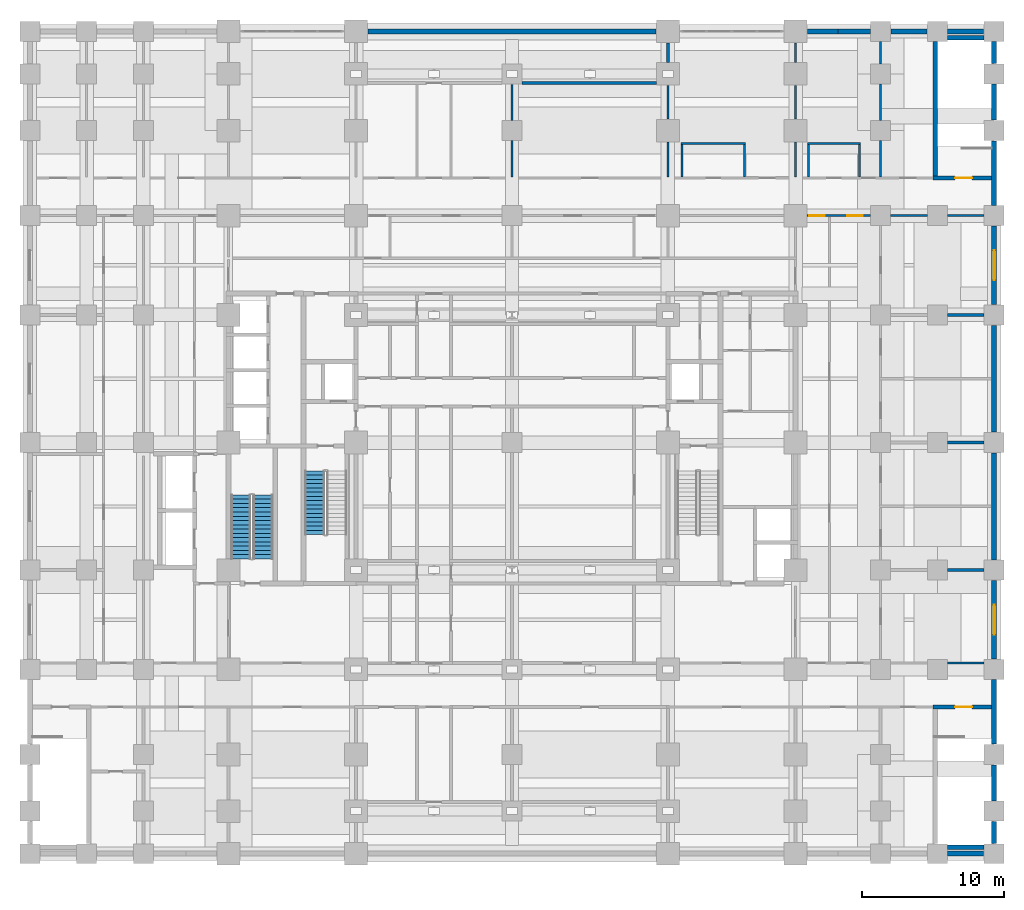
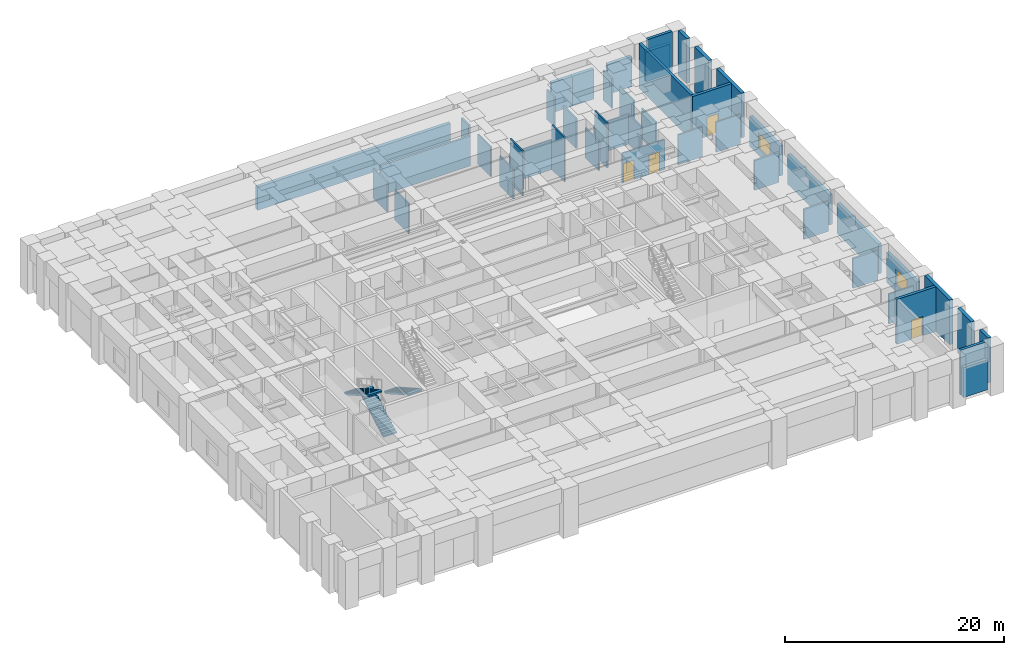
# One storey, part 14 of 22: 46 walls, 4 doors, 3 stair flights, 2 windows, 6 openings, 2 elements without a shape of their own.
"""IFC4 building model written with IfcOpenShell, lengths in metres."""

from ifc_helpers import new_model, si_unit, direction, frame, frame_2d, origin, place, context, subcontext, project, spatial, polyline, rectangle, outline, extrude, material, layer, layer_set, type_object, element, fill, aggregate, save


model = new_model("IFC4")

# Units and contexts
model_context = context("Model", 3, precision=1e-05, world=origin(), true_north=direction((0.0, 1.0)))
body_context = subcontext(model_context, "Body", "Model", "MODEL_VIEW")
ifc_project = project(units=[si_unit("LENGTHUNIT", "METRE"), si_unit("AREAUNIT", "SQUARE_METRE"), si_unit("VOLUMEUNIT", "CUBIC_METRE"), si_unit("PLANEANGLEUNIT", "RADIAN"), si_unit("MASSUNIT", "GRAM", prefix="KILO")], contexts=[model_context])

# Site, building, storey
site_placement = place(None, origin())
site = spatial("IfcSite", under=ifc_project, at=site_placement, CompositionType="ELEMENT")
building_placement = place(site_placement, origin())
building = spatial("IfcBuilding", under=site, at=building_placement, Name="Zulmaris Gate Convention Tower", CompositionType="ELEMENT")
storey_placement = place(building_placement, frame((0.0, 0.0, 21.760009765625)))
storey = spatial("IfcBuildingStorey", under=building, at=storey_placement, Name="L04", CompositionType="ELEMENT", Elevation=21.760009765625)

# Wall
ifc_material_1 = material(Name="Concrete C50/60", Category="concrete")
ifc_layer_1 = layer(ifc_material_1, 0.300048828125, Name="Concrete C50/60")
ifc_layer_set_1 = layer_set([ifc_layer_1], Name="Concrete C50/60")
wall_type_1 = type_object("IfcWallType", Name="CORE-300", PredefinedType="SHEAR", material=ifc_layer_set_1)
wall_1_placement = place(storey_placement, frame((30.7041015625, -28.550048828125, 0.0), z_axis=(0.0, 0.0, 1.0), x_axis=(1.0, 0.0, 0.0)))
element("IfcWall", 1, at=wall_1_placement, inside=storey, type_object=wall_type_1, Name="WL-L04-002", PredefinedType="SHEAR", context=body_context, shape_type="SweptSolid", body=[
    extrude(rectangle(XDim=2.591796875, YDim=0.300048828125, at=frame_2d((1.2958984375, 0.0))), origin(), (0.0, 0.0, 1.0), 4.989990234375),
])

# Wall, opening, door
wall_2_placement = place(storey_placement, frame((29.699951171875, -18.64990234375, 0.0), z_axis=(0.0, 0.0, 1.0), x_axis=(1.0, 0.0, 0.0)))
wall_2 = element("IfcWall", 2, at=wall_2_placement, inside=storey, type_object=wall_type_1, Name="WL-L04-004", PredefinedType="SHEAR", context=body_context, shape_type="SweptSolid", body=[
    extrude(rectangle(XDim=4.135009765625, YDim=0.300048828125, at=frame_2d((2.0673828125, 0.0))), origin(), (0.0, 0.0, 1.0), 4.989990234375),
])
opening_1_placement = place(wall_2_placement, frame((1.550048828125, 0.0, 0.0)))
opening_1 = element("IfcOpeningElement", 3, at=opening_1_placement, cuts=wall_2, Name="Opening D-13", PredefinedType="OPENING", context=body_context, shape_type="SweptSolid", body=[
    extrude(rectangle(XDim=1.199951171875, YDim=2.14990234375, at=frame_2d((0.60009765625, 1.074951171875))), frame((0.0, 0.16015625, 0.0), z_axis=(0.0, -1.0, 0.0), x_axis=(1.0, 0.0, 0.0)), (0.0, 0.0, 1.0), 0.320068359375),
])
ifc_material_2 = material(Name="Fire-Rated Steel", Category="steel")
door_type_1 = type_object("IfcDoorType", Name="DR-1200-FD", OperationType="NOTDEFINED", PredefinedType="DOOR", material=ifc_material_2)
door_1_placement = place(opening_1_placement, origin())
door_1 = element("IfcDoor", 4, at=door_1_placement, inside=storey, type_object=door_type_1, Name="L04 Exit Stair ST-6 Door 27", OperationType="SINGLE_SWING_LEFT", OverallHeight=2.14990234375, OverallWidth=1.199951171875, PredefinedType="DOOR", context=body_context, shape_type="SweptSolid", body=[
    extrude(rectangle(XDim=1.199951171875, YDim=2.14990234375, at=frame_2d((0.60009765625, 1.074951171875))), frame((0.0, 0.02490234375, 0.0), z_axis=(0.0, -1.0, 0.0), x_axis=(1.0, 0.0, 0.0)), (0.0, 0.0, 1.0), 0.050048828125),
])
fill(opening_1, door_1)

wall_3_placement = place(storey_placement, frame((29.699951171875, 18.64990234375, 0.0), z_axis=(0.0, 0.0, 1.0), x_axis=(1.0, 0.0, 0.0)))
wall_3 = element("IfcWall", 5, at=wall_3_placement, inside=storey, type_object=wall_type_1, Name="WL-L04-027", PredefinedType="SHEAR", context=body_context, shape_type="SweptSolid", body=[
    extrude(rectangle(XDim=4.135009765625, YDim=0.300048828125, at=frame_2d((2.0673828125, 0.0))), origin(), (0.0, 0.0, 1.0), 4.989990234375),
])
opening_2_placement = place(wall_3_placement, frame((1.550048828125, 0.0, 0.0)))
opening_2 = element("IfcOpeningElement", 6, at=opening_2_placement, cuts=wall_3, Name="Opening D-13", PredefinedType="OPENING", context=body_context, shape_type="SweptSolid", body=[
    extrude(rectangle(XDim=1.199951171875, YDim=2.14990234375, at=frame_2d((0.60009765625, 1.074951171875))), frame((0.0, 0.16015625, 0.0), z_axis=(0.0, -1.0, 0.0), x_axis=(1.0, 0.0, 0.0)), (0.0, 0.0, 1.0), 0.320068359375),
])
door_2_placement = place(opening_2_placement, origin())
door_2 = element("IfcDoor", 7, at=door_2_placement, inside=storey, type_object=door_type_1, Name="L04 Exit Stair ST-5 Door 26", OperationType="SINGLE_SWING_RIGHT", OverallHeight=2.14990234375, OverallWidth=1.199951171875, PredefinedType="DOOR", context=body_context, shape_type="SweptSolid", body=[
    extrude(rectangle(XDim=1.199951171875, YDim=2.14990234375, at=frame_2d((0.60009765625, 1.074951171875))), frame((0.0, 0.02490234375, 0.0), z_axis=(0.0, -1.0, 0.0), x_axis=(1.0, 0.0, 0.0)), (0.0, 0.0, 1.0), 0.050048828125),
])
fill(opening_2, door_2)

# Walls
wall_4_placement = place(storey_placement, frame((30.7041015625, 28.550048828125, 0.0), z_axis=(0.0, 0.0, 1.0), x_axis=(1.0, 0.0, 0.0)))
element("IfcWall", 8, at=wall_4_placement, inside=storey, type_object=wall_type_1, Name="WL-L04-028", PredefinedType="SHEAR", context=body_context, shape_type="SweptSolid", body=[
    extrude(rectangle(XDim=2.591796875, YDim=0.300048828125, at=frame_2d((1.2958984375, 0.0))), origin(), (0.0, 0.0, 1.0), 4.989990234375),
])
wall_5_placement = place(storey_placement, frame((29.85009765625, 18.802001953125, 0.0), z_axis=(0.0, 0.0, 1.0), x_axis=(0.0, 1.0, 0.0)))
element("IfcWall", 9, at=wall_5_placement, inside=storey, type_object=wall_type_1, Name="WL-L04-114", PredefinedType="SHEAR", context=body_context, shape_type="SweptSolid", body=[
    extrude(rectangle(XDim=9.493896484375, YDim=0.300048828125, at=frame_2d((4.7470703125, 0.0))), origin(), (0.0, 0.0, 1.0), 4.989990234375),
])
ifc_material_3 = material(Name="Gypsum Metal Stud Partition")
ifc_layer_2 = layer(ifc_material_3, 0.14990234375, Name="Gypsum Metal Stud Partition")
ifc_layer_set_2 = layer_set([ifc_layer_2], Name="Gypsum Metal Stud Partition")
wall_type_2 = type_object("IfcWallType", Name="PART-150", PredefinedType="PARTITIONING", material=ifc_layer_set_2)
wall_6_placement = place(storey_placement, frame((30.7060546875, -15.550048828125, 0.0), z_axis=(0.0, 0.0, 1.0), x_axis=(1.0, 0.0, 0.0)))
element("IfcWall", 10, at=wall_6_placement, inside=storey, type_object=wall_type_2, Name="WL-L04-040S4", PredefinedType="PARTITIONING", context=body_context, shape_type="SweptSolid", body=[
    extrude(rectangle(XDim=2.587890625, YDim=0.14990234375, at=frame_2d((1.2939453125, 0.0))), origin(), (0.0, 0.0, 1.0), 3.33203125),
])

# Wall, openings, doors
wall_7_placement = place(storey_placement, frame((20.805908203125, 16.0, 0.0), z_axis=(0.0, 0.0, 1.0), x_axis=(1.0, 0.0, 0.0)))
wall_7 = element("IfcWall", 11, at=wall_7_placement, inside=storey, type_object=wall_type_2, Name="WL-L04-068S7", PredefinedType="PARTITIONING", context=body_context, shape_type="SweptSolid", body=[
    extrude(rectangle(XDim=4.488037109375, YDim=0.14990234375, at=frame_2d((2.244140625, 0.0))), origin(), (0.0, 0.0, 1.0), 3.33203125),
])
opening_3_placement = place(wall_7_placement, frame((0.14990234375, 0.0, 0.0)))
opening_3 = element("IfcOpeningElement", 12, at=opening_3_placement, cuts=wall_7, Name="Opening D-08", PredefinedType="OPENING", context=body_context, shape_type="SweptSolid", body=[
    extrude(rectangle(XDim=1.10009765625, YDim=2.14990234375, at=frame_2d((0.550048828125, 1.074951171875))), frame((0.0, 0.0849609375, 0.0), z_axis=(0.0, -1.0, 0.0), x_axis=(1.0, 0.0, 0.0)), (0.0, 0.0, 1.0), 0.169921875),
])
opening_4_placement = place(wall_7_placement, frame((2.843994140625, 0.0, 0.0)))
opening_4 = element("IfcOpeningElement", 13, at=opening_4_placement, cuts=wall_7, Name="Opening D-08", PredefinedType="OPENING", context=body_context, shape_type="SweptSolid", body=[
    extrude(rectangle(XDim=1.10009765625, YDim=2.14990234375, at=frame_2d((0.550048828125, 1.074951171875))), frame((0.0, 0.0849609375, 0.0), z_axis=(0.0, -1.0, 0.0), x_axis=(1.0, 0.0, 0.0)), (0.0, 0.0, 1.0), 0.169921875),
])
door_type_2 = type_object("IfcDoorType", Name="DR-1100-FD", OperationType="NOTDEFINED", PredefinedType="DOOR", material=ifc_material_2)
door_3_placement = place(opening_3_placement, origin())
door_3 = element("IfcDoor", 14, at=door_3_placement, inside=storey, type_object=door_type_2, Name="L04 East Concourse Link Door 39", OperationType="SINGLE_SWING_LEFT", OverallHeight=2.14990234375, OverallWidth=1.10009765625, PredefinedType="DOOR", context=body_context, shape_type="SweptSolid", body=[
    extrude(rectangle(XDim=1.10009765625, YDim=2.14990234375, at=frame_2d((0.550048828125, 1.074951171875))), frame((0.0, 0.02490234375, 0.0), z_axis=(0.0, -1.0, 0.0), x_axis=(1.0, 0.0, 0.0)), (0.0, 0.0, 1.0), 0.050048828125),
])
fill(opening_3, door_3)
door_4_placement = place(opening_4_placement, origin())
door_4 = element("IfcDoor", 15, at=door_4_placement, inside=storey, type_object=door_type_2, Name="L04 East Promenade Concourse Door 72", OperationType="SINGLE_SWING_RIGHT", OverallHeight=2.14990234375, OverallWidth=1.10009765625, PredefinedType="DOOR", context=body_context, shape_type="SweptSolid", body=[
    extrude(rectangle(XDim=1.10009765625, YDim=2.14990234375, at=frame_2d((0.550048828125, 1.074951171875))), frame((0.0, 0.02490234375, 0.0), z_axis=(0.0, -1.0, 0.0), x_axis=(1.0, 0.0, 0.0)), (0.0, 0.0, 1.0), 0.050048828125),
])
fill(opening_4, door_4)

# Walls
for number, where, z_axis, x_axis, name in (
    (16, (26.7060546875, 16.0, 0.0), (0.0, 0.0, 1.0), (1.0, 0.0, 0.0), "WL-L04-068S8"),
    (17, (30.7060546875, 16.0, 0.0), (0.0, 0.0, 1.0), (1.0, 0.0, 0.0), "WL-L04-068S9"),
):
    element("IfcWall", number, at=place(storey_placement, frame(where, z_axis=z_axis, x_axis=x_axis)), inside=storey, type_object=wall_type_2, Name=name, PredefinedType="PARTITIONING", context=body_context, shape_type="SweptSolid", body=[
        extrude(rectangle(XDim=2.587890625, YDim=0.14990234375, at=frame_2d((1.2939453125, 0.0))), origin(), (0.0, 0.0, 1.0), 3.33203125),
    ])
wall_8_placement = place(storey_placement, frame((11.925048828125, 21.10009765625, 0.0), z_axis=(0.0, 0.0, 1.0), x_axis=(1.0, 0.0, 0.0)))
element("IfcWall", 18, at=wall_8_placement, inside=storey, type_object=wall_type_2, Name="WL-L04-070", PredefinedType="PARTITIONING", context=body_context, shape_type="SweptSolid", body=[
    extrude(rectangle(XDim=4.550048828125, YDim=0.14990234375, at=frame_2d((2.27490234375, 0.0))), origin(), (0.0, 0.0, 1.0), 3.33203125),
])
wall_9_placement = place(storey_placement, frame((20.824951171875, 21.10009765625, 0.0), z_axis=(0.0, 0.0, 1.0), x_axis=(1.0, 0.0, 0.0)))
element("IfcWall", 19, at=wall_9_placement, inside=storey, type_object=wall_type_2, Name="WL-L04-071", PredefinedType="PARTITIONING", context=body_context, shape_type="SweptSolid", body=[
    extrude(rectangle(XDim=3.75, YDim=0.14990234375, at=frame_2d((1.875, 0.0))), origin(), (0.0, 0.0, 1.0), 3.33203125),
])
wall_10_placement = place(storey_placement, frame((0.0, 18.72802734375, 0.0), z_axis=(0.0, 0.0, 1.0), x_axis=(0.0, 1.0, 0.0)))
element("IfcWall", 20, at=wall_10_placement, inside=storey, type_object=wall_type_2, Name="WL-L04-162", PredefinedType="PARTITIONING", context=body_context, shape_type="SweptSolid", body=[
    extrude(rectangle(XDim=2.56591796875, YDim=0.14990234375, at=frame_2d((1.282958984375, 0.0))), origin(), (0.0, 0.0, 1.0), 3.33203125),
])
wall_11_placement = place(storey_placement, frame((0.0, 22.7060546875, 0.0), z_axis=(0.0, 0.0, 1.0), x_axis=(0.0, 1.0, 0.0)))
element("IfcWall", 21, at=wall_11_placement, inside=storey, type_object=wall_type_2, Name="WL-L04-162S1", PredefinedType="PARTITIONING", context=body_context, shape_type="SweptSolid", body=[
    extrude(rectangle(XDim=2.541015625, YDim=0.14990234375, at=frame_2d((1.2705078125, 0.0))), origin(), (0.0, 0.0, 1.0), 3.33203125),
])
wall_12_placement = place(storey_placement, frame((11.0, 18.72802734375, 0.0), z_axis=(0.0, 0.0, 1.0), x_axis=(0.0, 1.0, 0.0)))
element("IfcWall", 22, at=wall_12_placement, inside=storey, type_object=wall_type_2, Name="WL-L04-170", PredefinedType="PARTITIONING", context=body_context, shape_type="SweptSolid", body=[
    extrude(rectangle(XDim=2.466064453125, YDim=0.14990234375, at=frame_2d((1.23291015625, 0.0))), origin(), (0.0, 0.0, 1.0), 3.33203125),
])
wall_13_placement = place(storey_placement, frame((11.0, 22.805908203125, 0.0), z_axis=(0.0, 0.0, 1.0), x_axis=(0.0, 1.0, 0.0)))
element("IfcWall", 23, at=wall_13_placement, inside=storey, type_object=wall_type_2, Name="WL-L04-170S1", PredefinedType="PARTITIONING", context=body_context, shape_type="SweptSolid", body=[
    extrude(rectangle(XDim=2.38818359375, YDim=0.14990234375, at=frame_2d((1.194091796875, 0.0))), origin(), (0.0, 0.0, 1.0), 3.33203125),
])
for number, where, z_axis, x_axis, name in (
    (24, (12.0, 18.72802734375, 0.0), (0.0, 0.0, 1.0), (0.0, 1.0, 0.0), "WL-L04-172"),
    (25, (16.39990234375, 18.72802734375, 0.0), (0.0, 0.0, 1.0), (0.0, 1.0, 0.0), "WL-L04-174"),
):
    element("IfcWall", number, at=place(storey_placement, frame(where, z_axis=z_axis, x_axis=x_axis)), inside=storey, type_object=wall_type_2, Name=name, PredefinedType="PARTITIONING", context=body_context, shape_type="SweptSolid", body=[
        extrude(rectangle(XDim=2.2939453125, YDim=0.14990234375, at=frame_2d((1.14697265625, 0.0))), origin(), (0.0, 0.0, 1.0), 4.989990234375),
    ])
wall_14_placement = place(storey_placement, frame((20.0, 18.72802734375, 0.0), z_axis=(0.0, 0.0, 1.0), x_axis=(0.0, 1.0, 0.0)))
element("IfcWall", 26, at=wall_14_placement, inside=storey, type_object=wall_type_2, Name="WL-L04-181", PredefinedType="PARTITIONING", context=body_context, shape_type="SweptSolid", body=[
    extrude(rectangle(XDim=2.466064453125, YDim=0.14990234375, at=frame_2d((1.23291015625, 0.0))), origin(), (0.0, 0.0, 1.0), 3.33203125),
])
wall_15_placement = place(storey_placement, frame((20.0, 22.805908203125, 0.0), z_axis=(0.0, 0.0, 1.0), x_axis=(0.0, 1.0, 0.0)))
element("IfcWall", 27, at=wall_15_placement, inside=storey, type_object=wall_type_2, Name="WL-L04-181S1", PredefinedType="PARTITIONING", context=body_context, shape_type="SweptSolid", body=[
    extrude(rectangle(XDim=2.38818359375, YDim=0.14990234375, at=frame_2d((1.194091796875, 0.0))), origin(), (0.0, 0.0, 1.0), 3.33203125),
])
wall_16_placement = place(storey_placement, frame((20.0, 26.805908203125, 0.0), z_axis=(0.0, 0.0, 1.0), x_axis=(0.0, 1.0, 0.0)))
element("IfcWall", 28, at=wall_16_placement, inside=storey, type_object=wall_type_2, Name="WL-L04-181S2", PredefinedType="PARTITIONING", context=body_context, shape_type="SweptSolid", body=[
    extrude(rectangle(XDim=1.38818359375, YDim=0.14990234375, at=frame_2d((0.694091796875, 0.0))), origin(), (0.0, 0.0, 1.0), 3.33203125),
])
wall_17_placement = place(storey_placement, frame((20.89990234375, 18.72802734375, 0.0), z_axis=(0.0, 0.0, 1.0), x_axis=(0.0, 1.0, 0.0)))
element("IfcWall", 29, at=wall_17_placement, inside=storey, type_object=wall_type_2, Name="WL-L04-182", PredefinedType="PARTITIONING", context=body_context, shape_type="SweptSolid", body=[
    extrude(rectangle(XDim=2.2939453125, YDim=0.14990234375, at=frame_2d((1.14697265625, 0.0))), origin(), (0.0, 0.0, 1.0), 4.989990234375),
])
wall_18_placement = place(storey_placement, frame((24.5, 18.72802734375, 0.0), z_axis=(0.0, 0.0, 1.0), x_axis=(0.0, 1.0, 0.0)))
element("IfcWall", 30, at=wall_18_placement, inside=storey, type_object=wall_type_2, Name="WL-L04-184", PredefinedType="PARTITIONING", context=body_context, shape_type="SweptSolid", body=[
    extrude(rectangle(XDim=2.2939453125, YDim=0.14990234375, at=frame_2d((1.14697265625, 0.0))), origin(), (0.0, 0.0, 1.0), 3.33203125),
])
wall_19_placement = place(storey_placement, frame((26.0, 18.72802734375, 0.0), z_axis=(0.0, 0.0, 1.0), x_axis=(0.0, 1.0, 0.0)))
element("IfcWall", 31, at=wall_19_placement, inside=storey, type_object=wall_type_2, Name="WL-L04-192", PredefinedType="PARTITIONING", context=body_context, shape_type="SweptSolid", body=[
    extrude(rectangle(XDim=2.56591796875, YDim=0.14990234375, at=frame_2d((1.282958984375, 0.0))), origin(), (0.0, 0.0, 1.0), 3.33203125),
])
wall_20_placement = place(storey_placement, frame((26.0, 22.7060546875, 0.0), z_axis=(0.0, 0.0, 1.0), x_axis=(0.0, 1.0, 0.0)))
element("IfcWall", 32, at=wall_20_placement, inside=storey, type_object=wall_type_2, Name="WL-L04-192S1", PredefinedType="PARTITIONING", context=body_context, shape_type="SweptSolid", body=[
    extrude(rectangle(XDim=2.587890625, YDim=0.14990234375, at=frame_2d((1.2939453125, 0.0))), origin(), (0.0, 0.0, 1.0), 3.33203125),
])
wall_21_placement = place(storey_placement, frame((26.0, 26.7060546875, 0.0), z_axis=(0.0, 0.0, 1.0), x_axis=(0.0, 1.0, 0.0)))
element("IfcWall", 33, at=wall_21_placement, inside=storey, type_object=wall_type_2, Name="WL-L04-192S2", PredefinedType="PARTITIONING", context=body_context, shape_type="SweptSolid", body=[
    extrude(rectangle(XDim=1.587890625, YDim=0.14990234375, at=frame_2d((0.7939453125, 0.0))), origin(), (0.0, 0.0, 1.0), 3.33203125),
])
ifc_material_4 = material(Name="Autoclaved Aerated Concrete Block and Plasterboard", Category="concrete")
ifc_layer_3 = layer(ifc_material_4, 0.199951171875, Name="Autoclaved Aerated Concrete Block and Plasterboard")
ifc_layer_set_3 = layer_set([ifc_layer_3], Name="Autoclaved Aerated Concrete Block and Plasterboard")
wall_type_3 = type_object("IfcWallType", Name="PART-200", PredefinedType="PARTITIONING", material=ifc_layer_set_3)
for number, where, z_axis, x_axis, name in (
    (34, (30.7060546875, -9.0, 0.0), (0.0, 0.0, 1.0), (1.0, 0.0, 0.0), "WL-L04-045S1"),
    (35, (30.7060546875, 0.0, 0.0), (0.0, 0.0, 1.0), (1.0, 0.0, 0.0), "WL-L04-052S1"),
    (36, (30.7060546875, 9.0, 0.0), (0.0, 0.0, 1.0), (1.0, 0.0, 0.0), "WL-L04-065S1"),
):
    element("IfcWall", number, at=place(storey_placement, frame(where, z_axis=z_axis, x_axis=x_axis)), inside=storey, type_object=wall_type_3, Name=name, PredefinedType="PARTITIONING", context=body_context, shape_type="SweptSolid", body=[
        extrude(rectangle(XDim=2.587890625, YDim=0.199951171875, at=frame_2d((1.2939453125, 0.0))), origin(), (0.0, 0.0, 1.0), 3.33203125),
    ])
wall_22_placement = place(storey_placement, frame((0.7060546875, 25.35009765625, 0.0), z_axis=(0.0, 0.0, 1.0), x_axis=(1.0, 0.0, 0.0)))
element("IfcWall", 37, at=wall_22_placement, inside=storey, type_object=wall_type_3, Name="WL-L04-072S1", PredefinedType="PARTITIONING", context=body_context, shape_type="SweptSolid", body=[
    extrude(rectangle(XDim=9.488037109375, YDim=0.199951171875, at=frame_2d((4.744140625, 0.0))), origin(), (0.0, 0.0, 1.0), 3.33203125),
])
wall_23_placement = place(storey_placement, frame((11.0, 26.805908203125, 0.0), z_axis=(0.0, 0.0, 1.0), x_axis=(0.0, 1.0, 0.0)))
element("IfcWall", 38, at=wall_23_placement, inside=storey, type_object=wall_type_3, Name="WL-L04-171", PredefinedType="PARTITIONING", context=body_context, shape_type="SweptSolid", body=[
    extrude(rectangle(XDim=1.38818359375, YDim=0.199951171875, at=frame_2d((0.694091796875, 0.0))), origin(), (0.0, 0.0, 1.0), 3.33203125),
])
ifc_material_5 = material(Name="Precast concrete C45/55", Category="concrete")
ifc_layer_4 = layer(ifc_material_5, 0.35009765625, Name="Precast concrete C45/55")
ifc_layer_set_4 = layer_set([ifc_layer_4], Name="Precast concrete C45/55")
wall_type_4 = type_object("IfcWallType", Name="PRECAST-POD-350", PredefinedType="STANDARD", material=ifc_layer_set_4)
wall_24_placement = place(storey_placement, frame((30.72998046875, -29.0, 0.0), z_axis=(0.0, 0.0, 1.0), x_axis=(1.0, 0.0, 0.0)))
element("IfcWall", 39, at=wall_24_placement, inside=storey, type_object=wall_type_4, Name="EW-L04-S-300_0", PredefinedType="STANDARD", context=body_context, shape_type="SweptSolid", body=[
    extrude(rectangle(XDim=2.5400390625, YDim=0.35009765625, at=frame_2d((1.27001953125, 0.0))), origin(), (0.0, 0.0, 1.0), 3.33203125),
])
wall_25_placement = place(storey_placement, frame((10.169921875, 29.0, 0.0), z_axis=(0.0, 0.0, 1.0), x_axis=(-1.0, 0.0, 0.0)))
element("IfcWall", 40, at=wall_25_placement, inside=storey, type_object=wall_type_4, Name="EW-L04-N--110_0", PredefinedType="STANDARD", context=body_context, shape_type="SweptSolid", body=[
    extrude(rectangle(XDim=20.33984375, YDim=0.35009765625, at=frame_2d((10.169921875, 0.0))), origin(), (0.0, 0.0, 1.0), 2.58203125),
])
wall_26_placement = place(storey_placement, frame((23.0, 29.0, 0.0), z_axis=(0.0, 0.0, 1.0), x_axis=(-1.0, 0.0, 0.0)))
element("IfcWall", 41, at=wall_26_placement, inside=storey, type_object=wall_type_4, Name="EW-L04-N-200_0", PredefinedType="STANDARD", context=body_context, shape_type="SweptSolid", body=[
    extrude(rectangle(XDim=2.169921875, YDim=0.35009765625, at=frame_2d((1.0849609375, 0.0))), origin(), (0.0, 0.0, 1.0), 3.33203125),
])
wall_27_placement = place(storey_placement, frame((25.27001953125, 29.0, 0.0), z_axis=(0.0, 0.0, 1.0), x_axis=(-1.0, 0.0, 0.0)))
element("IfcWall", 42, at=wall_27_placement, inside=storey, type_object=wall_type_4, Name="EW-L04-N-230_0", PredefinedType="STANDARD", context=body_context, shape_type="SweptSolid", body=[
    extrude(rectangle(XDim=2.27001953125, YDim=0.35009765625, at=frame_2d((1.135009765625, 0.0))), origin(), (0.0, 0.0, 1.0), 3.33203125),
])
for number, where, z_axis, x_axis, name in (
    (43, (29.27001953125, 29.0, 0.0), (0.0, 0.0, 1.0), (-1.0, 0.0, 0.0), "EW-L04-N-260_0"),
    (44, (33.27001953125, 29.0, 0.0), (0.0, 0.0, 1.0), (-1.0, 0.0, 0.0), "EW-L04-N-300_0"),
):
    element("IfcWall", number, at=place(storey_placement, frame(where, z_axis=z_axis, x_axis=x_axis)), inside=storey, type_object=wall_type_4, Name=name, PredefinedType="STANDARD", context=body_context, shape_type="SweptSolid", body=[
        extrude(rectangle(XDim=2.5400390625, YDim=0.35009765625, at=frame_2d((1.27001953125, 0.0))), origin(), (0.0, 0.0, 1.0), 3.33203125),
    ])
wall_28_placement = place(storey_placement, frame((34.0, -26.72998046875, 0.0), z_axis=(0.0, 0.0, 1.0), x_axis=(0.0, -1.0, 0.0)))
element("IfcWall", 45, at=wall_28_placement, inside=storey, type_object=wall_type_4, Name="EW-L04-E--29_0", PredefinedType="STANDARD", context=body_context, shape_type="SweptSolid", body=[
    extrude(rectangle(XDim=1.5400390625, YDim=0.35009765625, at=frame_2d((0.77001953125, 0.0))), origin(), (0.0, 0.0, 1.0), 4.989990234375),
])
wall_29_placement = place(storey_placement, frame((34.0, -22.72998046875, 0.0), z_axis=(0.0, 0.0, 1.0), x_axis=(0.0, -1.0, 0.0)))
element("IfcWall", 46, at=wall_29_placement, inside=storey, type_object=wall_type_4, Name="EW-L04-E--26_0", PredefinedType="STANDARD", context=body_context, shape_type="SweptSolid", body=[
    extrude(rectangle(XDim=2.5400390625, YDim=0.35009765625, at=frame_2d((1.27001953125, 0.0))), origin(), (0.0, 0.0, 1.0), 4.989990234375),
])
wall_30_placement = place(storey_placement, frame((34.0, -16.72998046875, 0.0), z_axis=(0.0, 0.0, 1.0), x_axis=(0.0, -1.0, 0.0)))
element("IfcWall", 47, at=wall_30_placement, inside=storey, type_object=wall_type_4, Name="EW-L04-E--22_0", PredefinedType="STANDARD", context=body_context, shape_type="SweptSolid", body=[
    extrude(rectangle(XDim=4.5400390625, YDim=0.35009765625, at=frame_2d((2.27001953125, 0.0))), origin(), (0.0, 0.0, 1.0), 4.989990234375),
])

# Wall, opening, window
wall_31_placement = place(storey_placement, frame((34.0, -9.72998046875, 0.0), z_axis=(0.0, 0.0, 1.0), x_axis=(0.0, -1.0, 0.0)))
wall_31 = element("IfcWall", 48, at=wall_31_placement, inside=storey, type_object=wall_type_4, Name="EW-L04-E--16_0", PredefinedType="STANDARD", context=body_context, shape_type="SweptSolid", body=[
    extrude(rectangle(XDim=5.5400390625, YDim=0.35009765625, at=frame_2d((2.77001953125, 0.0))), origin(), (0.0, 0.0, 1.0), 3.33203125),
])
opening_5_placement = place(wall_31_placement, frame((1.719970703125, 0.0, 0.75)))
opening_5 = element("IfcOpeningElement", 49, at=opening_5_placement, cuts=wall_31, Name="Opening W-05", PredefinedType="OPENING", context=body_context, shape_type="SweptSolid", body=[
    extrude(rectangle(XDim=2.10009765625, YDim=1.75, at=frame_2d((1.050048828125, 0.875))), frame((0.0, 0.18505859375, 0.0), z_axis=(0.0, -1.0, 0.0), x_axis=(1.0, 0.0, 0.0)), (0.0, 0.0, 1.0), 0.3701171875),
])
ifc_material_6 = material(Name="Low-E Laminated Double Glazing in Aluminium Frame", Category="aluminium")
window_type = type_object("IfcWindowType", Name="WIN-2100x2400", PartitioningType="SINGLE_PANEL", PredefinedType="WINDOW", material=ifc_material_6)
window_1_placement = place(opening_5_placement, origin())
window_1 = element("IfcWindow", 50, at=window_1_placement, inside=storey, type_object=window_type, Name="WN-EW-L04-E--16_0", OverallHeight=1.75, OverallWidth=2.10009765625, PartitioningType="SINGLE_PANEL", PredefinedType="WINDOW", context=body_context, shape_type="SweptSolid", body=[
    extrude(rectangle(XDim=2.10009765625, YDim=1.75, at=frame_2d((1.050048828125, 0.875))), frame((0.0, 0.030029296875, 0.0), z_axis=(0.0, -1.0, 0.0), x_axis=(1.0, 0.0, 0.0)), (0.0, 0.0, 1.0), 0.06005859375),
])
fill(opening_5, window_1)

# Walls
for number, where, z_axis, x_axis, name in (
    (51, (34.0, -0.72998046875, 0.0), (0.0, 0.0, 1.0), (0.0, -1.0, 0.0), "EW-L04-E--9_0"),
    (52, (34.0, 8.27001953125, 0.0), (0.0, 0.0, 1.0), (0.0, -1.0, 0.0), "EW-L04-E-0_0"),
):
    element("IfcWall", number, at=place(storey_placement, frame(where, z_axis=z_axis, x_axis=x_axis)), inside=storey, type_object=wall_type_4, Name=name, PredefinedType="STANDARD", context=body_context, shape_type="SweptSolid", body=[
        extrude(rectangle(XDim=7.5400390625, YDim=0.35009765625, at=frame_2d((3.77001953125, 0.0))), origin(), (0.0, 0.0, 1.0), 3.33203125),
    ])

# Wall, opening, window
wall_32_placement = place(storey_placement, frame((34.0, 15.27001953125, 0.0), z_axis=(0.0, 0.0, 1.0), x_axis=(0.0, -1.0, 0.0)))
wall_32 = element("IfcWall", 53, at=wall_32_placement, inside=storey, type_object=wall_type_4, Name="EW-L04-E-9_0", PredefinedType="STANDARD", context=body_context, shape_type="SweptSolid", body=[
    extrude(rectangle(XDim=5.5400390625, YDim=0.35009765625, at=frame_2d((2.77001953125, 0.0))), origin(), (0.0, 0.0, 1.0), 3.33203125),
])
opening_6_placement = place(wall_32_placement, frame((1.719970703125, 0.0, 0.75)))
opening_6 = element("IfcOpeningElement", 54, at=opening_6_placement, cuts=wall_32, Name="Opening W-05", PredefinedType="OPENING", context=body_context, shape_type="SweptSolid", body=[
    extrude(rectangle(XDim=2.10009765625, YDim=1.75, at=frame_2d((1.050048828125, 0.875))), frame((0.0, 0.18505859375, 0.0), z_axis=(0.0, -1.0, 0.0), x_axis=(1.0, 0.0, 0.0)), (0.0, 0.0, 1.0), 0.3701171875),
])
window_2_placement = place(opening_6_placement, origin())
window_2 = element("IfcWindow", 55, at=window_2_placement, inside=storey, type_object=window_type, Name="WN-EW-L04-E-9_0", OverallHeight=1.75, OverallWidth=2.10009765625, PartitioningType="SINGLE_PANEL", PredefinedType="WINDOW", context=body_context, shape_type="SweptSolid", body=[
    extrude(rectangle(XDim=2.10009765625, YDim=1.75, at=frame_2d((1.050048828125, 0.875))), frame((0.0, 0.030029296875, 0.0), z_axis=(0.0, -1.0, 0.0), x_axis=(1.0, 0.0, 0.0)), (0.0, 0.0, 1.0), 0.06005859375),
])
fill(opening_6, window_2)

# Walls
wall_33_placement = place(storey_placement, frame((34.0, 21.27001953125, 0.0), z_axis=(0.0, 0.0, 1.0), x_axis=(0.0, -1.0, 0.0)))
element("IfcWall", 56, at=wall_33_placement, inside=storey, type_object=wall_type_4, Name="EW-L04-E-16_0", PredefinedType="STANDARD", context=body_context, shape_type="SweptSolid", body=[
    extrude(rectangle(XDim=4.5400390625, YDim=0.35009765625, at=frame_2d((2.27001953125, 0.0))), origin(), (0.0, 0.0, 1.0), 4.989990234375),
])
wall_34_placement = place(storey_placement, frame((34.0, 25.27001953125, 0.0), z_axis=(0.0, 0.0, 1.0), x_axis=(0.0, -1.0, 0.0)))
element("IfcWall", 57, at=wall_34_placement, inside=storey, type_object=wall_type_4, Name="EW-L04-E-22_0", PredefinedType="STANDARD", context=body_context, shape_type="SweptSolid", body=[
    extrude(rectangle(XDim=2.5400390625, YDim=0.35009765625, at=frame_2d((1.27001953125, 0.0))), origin(), (0.0, 0.0, 1.0), 4.989990234375),
])
wall_35_placement = place(storey_placement, frame((34.0, 28.27001953125, 0.0), z_axis=(0.0, 0.0, 1.0), x_axis=(0.0, -1.0, 0.0)))
element("IfcWall", 58, at=wall_35_placement, inside=storey, type_object=wall_type_4, Name="EW-L04-E-26_0", PredefinedType="STANDARD", context=body_context, shape_type="SweptSolid", body=[
    extrude(rectangle(XDim=1.5400390625, YDim=0.35009765625, at=frame_2d((0.77001953125, 0.0))), origin(), (0.0, 0.0, 1.0), 4.989990234375),
])

# Stair, stair flight
ifc_material_7 = material(Name="Concrete C45/55", Category="concrete")
stair_type = type_object("IfcStairType", Name="ST-CORE-DOGLEG", PredefinedType="HALF_TURN_STAIR", material=ifc_material_7)
stair_1_placement = place(storey_placement, origin())
stair_1 = element("IfcStair", 59, at=stair_1_placement, inside=storey, type_object=stair_type, Name="L04 Core Exit Stair ST-1", PredefinedType="HALF_TURN_STAIR")
ifc_layer_5 = layer(ifc_material_7, 0.14990234375, Name="Concrete C45/55")
ifc_layer_set_5 = layer_set([ifc_layer_5], Name="Concrete C45/55")
stair_flight_type = type_object("IfcStairFlightType", Name="STF-RC150", PredefinedType="STRAIGHT", material=ifc_layer_set_5)
stair_flight_1_placement = place(storey_placement, frame((-13.919921875, -2.0, 0.0), z_axis=(0.0, 0.0, 1.0), x_axis=(0.0, -1.0, 0.0)))
stair_flight_1 = element("IfcStairFlight", 60, at=stair_flight_1_placement, type_object=stair_flight_type, Name="ST-1 flight 1", NumberOfRisers=16, NumberOfTreads=15, PredefinedType="STRAIGHT", RiserHeight=0.17, TreadLength=0.3, context=body_context, shape_type="SweptSolid", body=[
    extrude(outline(polyline([(0.0, 0.0), (0.0, 0.169921875), (0.300048828125, 0.169921875), (0.300048828125, 0.340087890625), (0.60009765625, 0.340087890625), (0.60009765625, 0.510009765625), (0.89990234375, 0.510009765625), (0.89990234375, 0.679931640625), (1.199951171875, 0.679931640625), (1.199951171875, 0.85009765625), (1.5, 0.85009765625), (1.5, 1.02001953125), (1.800048828125, 1.02001953125), (1.800048828125, 1.18994140625), (2.10009765625, 1.18994140625), (2.10009765625, 1.360107421875), (2.39990234375, 1.360107421875), (2.39990234375, 1.530029296875), (2.699951171875, 1.530029296875), (2.699951171875, 1.699951171875), (3.0, 1.699951171875), (3.0, 1.8701171875), (3.300048828125, 1.8701171875), (3.300048828125, 2.0400390625), (3.60009765625, 2.0400390625), (3.60009765625, 2.2099609375), (3.89990234375, 2.2099609375), (3.89990234375, 2.3798828125), (4.199951171875, 2.3798828125), (4.199951171875, 2.550048828125), (4.5, 2.550048828125), (4.5, 2.719970703125), (4.5, 2.377685546875), (0.303955078125, 0.0), (0.0, 0.0)])), frame((0.0, 0.699951171875, 0.0), z_axis=(0.0, -1.0, 0.0), x_axis=(1.0, 0.0, 0.0)), (0.0, 0.0, 1.0), 1.39990234375),
])
aggregate(stair_1, [stair_flight_1])

# Stair, stair flights
stair_2_placement = place(storey_placement, origin())
stair_2 = element("IfcStair", 61, at=stair_2_placement, inside=storey, type_object=stair_type, Name="L04 Core Exit Stair ST-3", PredefinedType="HALF_TURN_STAIR")
stair_flight_2_placement = place(storey_placement, frame((-17.56005859375, -8.199951171875, 0.0), z_axis=(0.0, 0.0, 1.0), x_axis=(0.0, 1.0, 0.0)))
stair_flight_2 = element("IfcStairFlight", 62, at=stair_flight_2_placement, type_object=stair_flight_type, Name="ST-3 flight 1", NumberOfRisers=16, NumberOfTreads=15, PredefinedType="STRAIGHT", RiserHeight=0.17, TreadLength=0.3, context=body_context, shape_type="SweptSolid", body=[
    extrude(outline(polyline([(0.0, 0.0), (0.0, 0.169921875), (0.300048828125, 0.169921875), (0.300048828125, 0.340087890625), (0.60009765625, 0.340087890625), (0.60009765625, 0.510009765625), (0.89990234375, 0.510009765625), (0.89990234375, 0.679931640625), (1.199951171875, 0.679931640625), (1.199951171875, 0.85009765625), (1.5, 0.85009765625), (1.5, 1.02001953125), (1.800048828125, 1.02001953125), (1.800048828125, 1.18994140625), (2.10009765625, 1.18994140625), (2.10009765625, 1.360107421875), (2.39990234375, 1.360107421875), (2.39990234375, 1.530029296875), (2.699951171875, 1.530029296875), (2.699951171875, 1.699951171875), (3.0, 1.699951171875), (3.0, 1.8701171875), (3.300048828125, 1.8701171875), (3.300048828125, 2.0400390625), (3.60009765625, 2.0400390625), (3.60009765625, 2.2099609375), (3.89990234375, 2.2099609375), (3.89990234375, 2.3798828125), (4.199951171875, 2.3798828125), (4.199951171875, 2.550048828125), (4.5, 2.550048828125), (4.5, 2.719970703125), (4.5, 2.377685546875), (0.303955078125, 0.0), (0.0, 0.0)])), frame((0.0, 0.699951171875, 0.0), z_axis=(0.0, -1.0, 0.0), x_axis=(1.0, 0.0, 0.0)), (0.0, 0.0, 1.0), 1.39990234375),
])
stair_flight_3_placement = place(storey_placement, frame((-19.1201171875, -3.699951171875, 2.719970703125), z_axis=(0.0, 0.0, 1.0), x_axis=(0.0, -1.0, 0.0)))
stair_flight_3 = element("IfcStairFlight", 63, at=stair_flight_3_placement, type_object=stair_flight_type, Name="ST-3 flight 2", NumberOfRisers=16, NumberOfTreads=15, PredefinedType="STRAIGHT", RiserHeight=0.17, TreadLength=0.3, context=body_context, shape_type="SweptSolid", body=[
    extrude(outline(polyline([(0.0, 0.0), (0.0, 0.169921875), (0.300048828125, 0.169921875), (0.300048828125, 0.340087890625), (0.60009765625, 0.340087890625), (0.60009765625, 0.510009765625), (0.89990234375, 0.510009765625), (0.89990234375, 0.679931640625), (1.199951171875, 0.679931640625), (1.199951171875, 0.85009765625), (1.5, 0.85009765625), (1.5, 1.02001953125), (1.800048828125, 1.02001953125), (1.800048828125, 1.18994140625), (2.10009765625, 1.18994140625), (2.10009765625, 1.360107421875), (2.39990234375, 1.360107421875), (2.39990234375, 1.530029296875), (2.699951171875, 1.530029296875), (2.699951171875, 1.699951171875), (3.0, 1.699951171875), (3.0, 1.8701171875), (3.300048828125, 1.8701171875), (3.300048828125, 2.0400390625), (3.60009765625, 2.0400390625), (3.60009765625, 2.2099609375), (3.89990234375, 2.2099609375), (3.89990234375, 2.3798828125), (4.199951171875, 2.3798828125), (4.199951171875, 2.550048828125), (4.5, 2.550048828125), (4.5, 2.719970703125), (4.5, 2.377685546875), (0.303955078125, 0.0), (0.0, 0.0)])), frame((0.0, 0.699951171875, 0.0), z_axis=(0.0, -1.0, 0.0), x_axis=(1.0, 0.0, 0.0)), (0.0, 0.0, 1.0), 1.39990234375),
])
aggregate(stair_2, [stair_flight_2, stair_flight_3])

save(model, "model.ifc")
